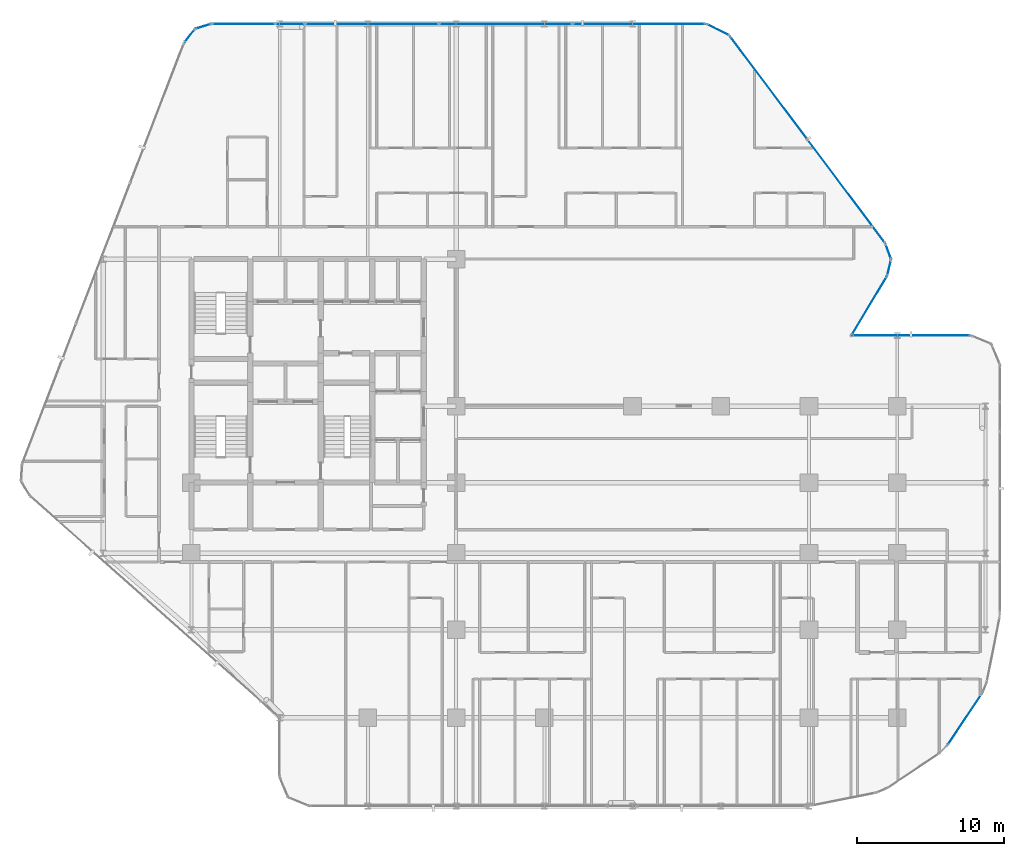
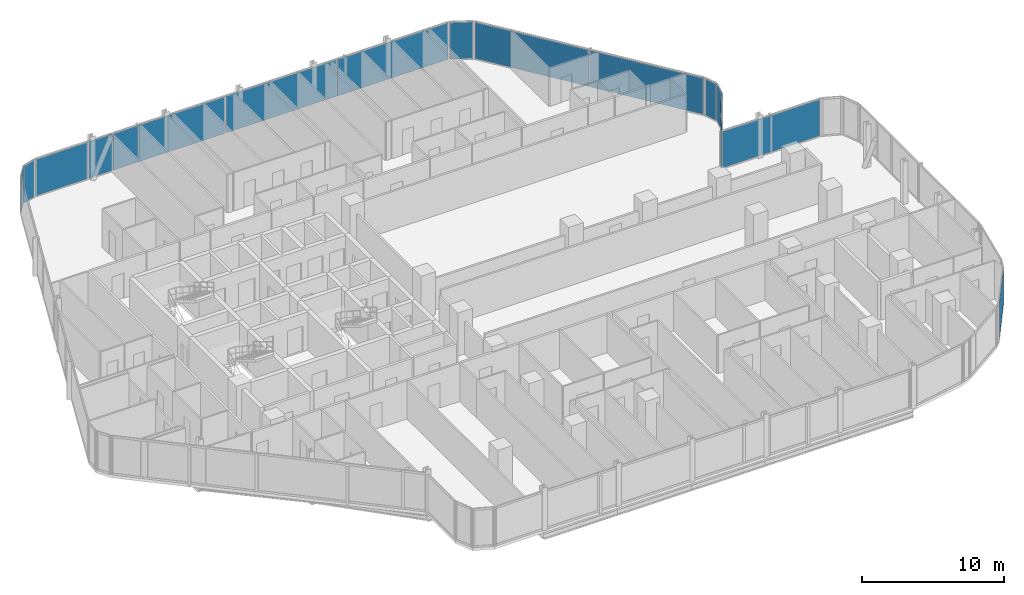
# One storey, part 24 of 34: 15 plates, 12 elements without a shape of their own.
"""IFC4 building model written with IfcOpenShell, lengths in metres."""

from ifc_helpers import new_model, si_unit, direction, frame, origin, origin_2d, place, context, subcontext, project, spatial, rectangle, extrude, material, layer, layer_set, type_object, element, aggregate, save


model = new_model("IFC4")

# Units and contexts
model_context = context("Model", 3, precision=1e-05, world=origin(), true_north=direction((0.0, 1.0)))
body_context = subcontext(model_context, "Body", "Model", "MODEL_VIEW")
ifc_project = project(units=[si_unit("LENGTHUNIT", "METRE"), si_unit("AREAUNIT", "SQUARE_METRE"), si_unit("VOLUMEUNIT", "CUBIC_METRE"), si_unit("PLANEANGLEUNIT", "RADIAN"), si_unit("MASSUNIT", "GRAM", prefix="KILO")], contexts=[model_context])

# Site, building, storey
site_placement = place(None, origin())
site = spatial("IfcSite", under=ifc_project, at=site_placement, CompositionType="ELEMENT")
building_placement = place(site_placement, origin())
building = spatial("IfcBuilding", under=site, at=building_placement, Name="Keshet Zoharim Tower", CompositionType="ELEMENT")
storey_placement = place(building_placement, frame((0.0, 0.0, 77.5)))
storey = spatial("IfcBuildingStorey", under=building, at=storey_placement, Name="L18", CompositionType="ELEMENT", Elevation=77.5)

# Curtain wall, plate
ifc_material_1 = material(Name="Aluminium 6063-T6", Category="aluminium")
ifc_layer_1 = layer(ifc_material_1, 0.179931640625)
ifc_layer_set_1 = layer_set([ifc_layer_1], Name="Aluminium 6063-T6")
curtain_wall_type_1 = type_object("IfcCurtainWallType", Name="CW-SYS-01", PredefinedType="NOTDEFINED", material=ifc_layer_set_1)
curtain_wall_1_placement = place(storey_placement, origin())
curtain_wall_1 = element("IfcCurtainWall", 1, at=curtain_wall_1_placement, inside=storey, type_object=curtain_wall_type_1, Name="L18 Unitised Curtain Wall 05", PredefinedType="NOTDEFINED")
ifc_material_2 = material(Name="Insulated Low-E Clear Glass", Category="glass")
ifc_layer_2 = layer(ifc_material_2, 0.035888671875)
ifc_layer_set_2 = layer_set([ifc_layer_2], Name="Insulated Low-E Clear Glass")
plate_type_1 = type_object("IfcPlateType", Name="CWP-01", PredefinedType="CURTAIN_PANEL", material=ifc_layer_set_2)
plate_1_placement = place(storey_placement, frame((14.8740234375, 53.08349609375, 0.06982421875), z_axis=(0.0, 0.0, 1.0), x_axis=(0.619124525989, 0.785292825205, 0.0)))
plate_1 = element("IfcPlate", 2, at=plate_1_placement, type_object=plate_type_1, Name="CW-01 panel 1.1", PredefinedType="CURTAIN_PANEL", context=body_context, shape_type="SweptSolid", body=[
    extrude(rectangle(XDim=1.045654296875, YDim=0.035888671875, at=origin_2d()), origin(), (0.0, 0.0, 1.0), 3.139892578125),
])
aggregate(curtain_wall_1, [plate_1])

curtain_wall_2_placement = place(storey_placement, origin())
curtain_wall_2 = element("IfcCurtainWall", 3, at=curtain_wall_2_placement, inside=storey, type_object=curtain_wall_type_1, Name="L18 Unitised Curtain Wall 06", PredefinedType="NOTDEFINED")
plate_2_placement = place(storey_placement, frame((15.8076171875, 53.724609375, 0.06982421875), z_axis=(0.0, 0.0, 1.0), x_axis=(0.955212151288, 0.295921857984, 0.0)))
plate_2 = element("IfcPlate", 4, at=plate_2_placement, type_object=plate_type_1, Name="CW-01 panel 1.1", PredefinedType="CURTAIN_PANEL", context=body_context, shape_type="SweptSolid", body=[
    extrude(rectangle(XDim=1.046142578125, YDim=0.035888671875, at=origin_2d()), origin(), (0.0, 0.0, 1.0), 3.139892578125),
])
aggregate(curtain_wall_2, [plate_2])

curtain_wall_3_placement = place(storey_placement, origin())
curtain_wall_3 = element("IfcCurtainWall", 5, at=curtain_wall_3_placement, inside=storey, type_object=curtain_wall_type_1, Name="L18 Unitised Curtain Wall 12", PredefinedType="NOTDEFINED")
plate_3_placement = place(storey_placement, frame((61.093994140625, 34.723388671875, 0.06982421875), z_axis=(0.0, 0.0, 1.0), x_axis=(-0.51446459506, -0.857511621163, 0.0)))
plate_3 = element("IfcPlate", 6, at=plate_3_placement, type_object=plate_type_1, Name="CW-01 panel 1.1", PredefinedType="CURTAIN_PANEL", context=body_context, shape_type="SweptSolid", body=[
    extrude(rectangle(XDim=4.57958984375, YDim=0.035888671875, at=origin_2d()), origin(), (0.0, 0.0, 1.0), 3.139892578125),
])
aggregate(curtain_wall_3, [plate_3])

curtain_wall_4_placement = place(storey_placement, origin())
curtain_wall_4 = element("IfcCurtainWall", 7, at=curtain_wall_4_placement, inside=storey, type_object=curtain_wall_type_1, Name="L18 Unitised Curtain Wall 20", PredefinedType="NOTDEFINED")
plate_4_placement = place(storey_placement, frame((67.60107421875, 6.615966796875, 0.06982421875), z_axis=(0.0, 0.0, 1.0), x_axis=(-0.555563243758, -0.831474282335, 0.0)))
plate_4 = element("IfcPlate", 8, at=plate_4_placement, type_object=plate_type_1, Name="CW-01 panel 1.1", PredefinedType="CURTAIN_PANEL", context=body_context, shape_type="SweptSolid", body=[
    extrude(rectangle(XDim=4.13671875, YDim=0.035888671875, at=origin_2d()), origin(), (0.0, 0.0, 1.0), 3.139892578125),
])
aggregate(curtain_wall_4, [plate_4])

ifc_layer_3 = layer(ifc_material_1, 0.169921875)
ifc_layer_set_3 = layer_set([ifc_layer_3], Name="Aluminium 6063-T6")
curtain_wall_type_2 = type_object("IfcCurtainWallType", Name="CW-SYS-02", PredefinedType="NOTDEFINED", material=ifc_layer_set_3)
curtain_wall_5_placement = place(storey_placement, origin())
curtain_wall_5 = element("IfcCurtainWall", 9, at=curtain_wall_5_placement, inside=storey, type_object=curtain_wall_type_2, Name="L18 Unitised Curtain Wall 07", PredefinedType="NOTDEFINED")
ifc_layer_4 = layer(ifc_material_2, 0.031982421875)
ifc_layer_set_4 = layer_set([ifc_layer_4], Name="Insulated Low-E Clear Glass")
plate_type_2 = type_object("IfcPlateType", Name="CWP-02", PredefinedType="CURTAIN_PANEL", material=ifc_layer_set_4)
plate_5_placement = place(storey_placement, frame((18.55615234375, 53.89990234375, 0.06982421875), z_axis=(0.0, 0.0, 1.0), x_axis=(1.0, 0.0, 0.0)))
plate_5 = element("IfcPlate", 10, at=plate_5_placement, type_object=plate_type_2, Name="CW-02 panel 1.1", PredefinedType="CURTAIN_PANEL", context=body_context, shape_type="SweptSolid", body=[
    extrude(rectangle(XDim=4.224365234375, YDim=0.031982421875, at=origin_2d()), origin(), (0.0, 0.0, 1.0), 3.139892578125),
])
aggregate(curtain_wall_5, [plate_5])

# Curtain wall, plates
curtain_wall_6_placement = place(storey_placement, origin())
curtain_wall_6 = element("IfcCurtainWall", 11, at=curtain_wall_6_placement, inside=storey, type_object=curtain_wall_type_2, Name="L18 Unitised Curtain Wall 07 Part 3", PredefinedType="NOTDEFINED")
plate_6_placement = place(storey_placement, frame((27.283935546875, 53.89990234375, 0.06982421875), z_axis=(0.0, 0.0, 1.0), x_axis=(1.0, 0.0, 0.0)))
plate_6 = element("IfcPlate", 12, at=plate_6_placement, type_object=plate_type_2, Name="CW-02 panel 1.1", PredefinedType="CURTAIN_PANEL", context=body_context, shape_type="SweptSolid", body=[
    extrude(rectangle(XDim=9.04443359375, YDim=0.031982421875, at=origin_2d()), origin(), (0.0, 0.0, 1.0), 3.139892578125),
])
plate_7_placement = place(storey_placement, frame((36.380859375, 53.89990234375, 0.06982421875), z_axis=(0.0, 0.0, 1.0), x_axis=(1.0, 0.0, 0.0)))
plate_7 = element("IfcPlate", 13, at=plate_7_placement, type_object=plate_type_2, Name="CW-02 panel 2.1", PredefinedType="CURTAIN_PANEL", context=body_context, shape_type="SweptSolid", body=[
    extrude(rectangle(XDim=9.009521484375, YDim=0.031982421875, at=origin_2d()), origin(), (0.0, 0.0, 1.0), 3.139892578125),
])
plate_8_placement = place(storey_placement, frame((45.44287109375, 53.89990234375, 0.06982421875), z_axis=(0.0, 0.0, 1.0), x_axis=(1.0, 0.0, 0.0)))
plate_8 = element("IfcPlate", 14, at=plate_8_placement, type_object=plate_type_2, Name="CW-02 panel 3.1", PredefinedType="CURTAIN_PANEL", context=body_context, shape_type="SweptSolid", body=[
    extrude(rectangle(XDim=8.974365234375, YDim=0.031982421875, at=origin_2d()), origin(), (0.0, 0.0, 1.0), 3.139892578125),
])
aggregate(curtain_wall_6, [plate_6, plate_7, plate_8])

# Curtain wall, plate
curtain_wall_7_placement = place(storey_placement, origin())
curtain_wall_7 = element("IfcCurtainWall", 15, at=curtain_wall_7_placement, inside=storey, type_object=curtain_wall_type_2, Name="L18 Unitised Curtain Wall 08", PredefinedType="NOTDEFINED")
plate_9_placement = place(storey_placement, frame((50.800048828125, 53.5, 0.06982421875), z_axis=(0.0, 0.0, 1.0), x_axis=(0.894427191001, -0.447213595499, 0.0)))
plate_9 = element("IfcPlate", 16, at=plate_9_placement, type_object=plate_type_2, Name="CW-02 panel 1.1", PredefinedType="CURTAIN_PANEL", context=body_context, shape_type="SweptSolid", body=[
    extrude(rectangle(XDim=1.64892578125, YDim=0.031982421875, at=origin_2d()), origin(), (0.0, 0.0, 1.0), 3.139892578125),
])
aggregate(curtain_wall_7, [plate_9])

# Curtain wall, plates
curtain_wall_8_placement = place(storey_placement, origin())
curtain_wall_8 = element("IfcCurtainWall", 17, at=curtain_wall_8_placement, inside=storey, type_object=curtain_wall_type_2, Name="L18 Unitised Curtain Wall 09", PredefinedType="NOTDEFINED")
plate_10_placement = place(storey_placement, frame((54.2587890625, 49.554931640625, 0.06982421875), z_axis=(0.0, 0.0, 1.0), x_axis=(0.600000000002, -0.799999999998, 0.0)))
plate_10 = element("IfcPlate", 18, at=plate_10_placement, type_object=plate_type_2, Name="CW-02 panel 1.1", PredefinedType="CURTAIN_PANEL", context=body_context, shape_type="SweptSolid", body=[
    extrude(rectangle(XDim=8.722412109375, YDim=0.031982421875, at=origin_2d()), origin(), (0.0, 0.0, 1.0), 3.139892578125),
])
plate_11_placement = place(storey_placement, frame((59.5341796875, 42.52099609375, 0.06982421875), z_axis=(0.0, 0.0, 1.0), x_axis=(0.600000000002, -0.799999999998, 0.0)))
plate_11 = element("IfcPlate", 19, at=plate_11_placement, type_object=plate_type_2, Name="CW-02 panel 2.1", PredefinedType="CURTAIN_PANEL", context=body_context, shape_type="SweptSolid", body=[
    extrude(rectangle(XDim=8.722412109375, YDim=0.031982421875, at=origin_2d()), origin(), (0.0, 0.0, 1.0), 3.139892578125),
])
aggregate(curtain_wall_8, [plate_10, plate_11])

# Curtain wall, plate
curtain_wall_9_placement = place(storey_placement, origin())
curtain_wall_9 = element("IfcCurtainWall", 20, at=curtain_wall_9_placement, inside=storey, type_object=curtain_wall_type_2, Name="L18 Unitised Curtain Wall 10", PredefinedType="NOTDEFINED")
plate_12_placement = place(storey_placement, frame((62.3916015625, 38.427490234375, 0.06982421875), z_axis=(0.0, 0.0, 1.0), x_axis=(0.340297354046, -0.940317877544, 0.0)))
plate_12 = element("IfcPlate", 21, at=plate_12_placement, type_object=plate_type_2, Name="CW-02 panel 1.1", PredefinedType="CURTAIN_PANEL", context=body_context, shape_type="SweptSolid", body=[
    extrude(rectangle(XDim=1.026611328125, YDim=0.031982421875, at=origin_2d()), origin(), (0.0, 0.0, 1.0), 3.139892578125),
])
aggregate(curtain_wall_9, [plate_12])

curtain_wall_10_placement = place(storey_placement, origin())
curtain_wall_10 = element("IfcCurtainWall", 22, at=curtain_wall_10_placement, inside=storey, type_object=curtain_wall_type_2, Name="L18 Unitised Curtain Wall 11", PredefinedType="NOTDEFINED")
plate_13_placement = place(storey_placement, frame((62.448974609375, 37.31298828125, 0.06982421875), z_axis=(0.0, 0.0, 1.0), x_axis=(-0.241728770141, -0.970343857447, 0.0)))
plate_13 = element("IfcPlate", 23, at=plate_13_placement, type_object=plate_type_2, Name="CW-02 panel 1.1", PredefinedType="CURTAIN_PANEL", context=body_context, shape_type="SweptSolid", body=[
    extrude(rectangle(XDim=1.026611328125, YDim=0.031982421875, at=origin_2d()), origin(), (0.0, 0.0, 1.0), 3.139892578125),
])
aggregate(curtain_wall_10, [plate_13])

curtain_wall_11_placement = place(storey_placement, origin())
curtain_wall_11 = element("IfcCurtainWall", 24, at=curtain_wall_11_placement, inside=storey, type_object=curtain_wall_type_2, Name="L18 Unitised Curtain Wall 13", PredefinedType="NOTDEFINED")
plate_14_placement = place(storey_placement, frame((63.93994140625, 32.699951171875, 0.06982421875), z_axis=(0.0, 0.0, 1.0), x_axis=(1.0, 0.0, 0.0)))
plate_14 = element("IfcPlate", 25, at=plate_14_placement, type_object=plate_type_2, Name="CW-02 panel 1.1", PredefinedType="CURTAIN_PANEL", context=body_context, shape_type="SweptSolid", body=[
    extrude(rectangle(XDim=7.97998046875, YDim=0.031982421875, at=origin_2d()), origin(), (0.0, 0.0, 1.0), 3.139892578125),
])
aggregate(curtain_wall_11, [plate_14])

curtain_wall_12_placement = place(storey_placement, origin())
curtain_wall_12 = element("IfcCurtainWall", 26, at=curtain_wall_12_placement, inside=storey, type_object=curtain_wall_type_2, Name="L18 Unitised Curtain Wall 07 Part 2", PredefinedType="NOTDEFINED")
ifc_material_3 = material(Name="Insulated Aluminium Spandrel Panel", Category="aluminium")
ifc_layer_5 = layer(ifc_material_3, 0.031982421875)
ifc_layer_set_5 = layer_set([ifc_layer_5], Name="Insulated Aluminium Spandrel Panel")
plate_type_3 = type_object("IfcPlateType", Name="CWP-05", PredefinedType="CURTAIN_PANEL", material=ifc_layer_set_5)
plate_15_placement = place(storey_placement, frame((21.715087890625, 53.89990234375, 0.06982421875), z_axis=(0.0, 0.0, 1.0), x_axis=(1.0, 0.0, 0.0)))
plate_15 = element("IfcPlate", 27, at=plate_15_placement, type_object=plate_type_3, Name="CW-02 spandrel panel 1.1", PredefinedType="CURTAIN_PANEL", context=body_context, shape_type="SweptSolid", body=[
    extrude(rectangle(XDim=1.953369140625, YDim=0.031982421875, at=origin_2d()), origin(), (0.0, 0.0, 1.0), 3.139892578125),
])
aggregate(curtain_wall_12, [plate_15])

save(model, "model.ifc")
